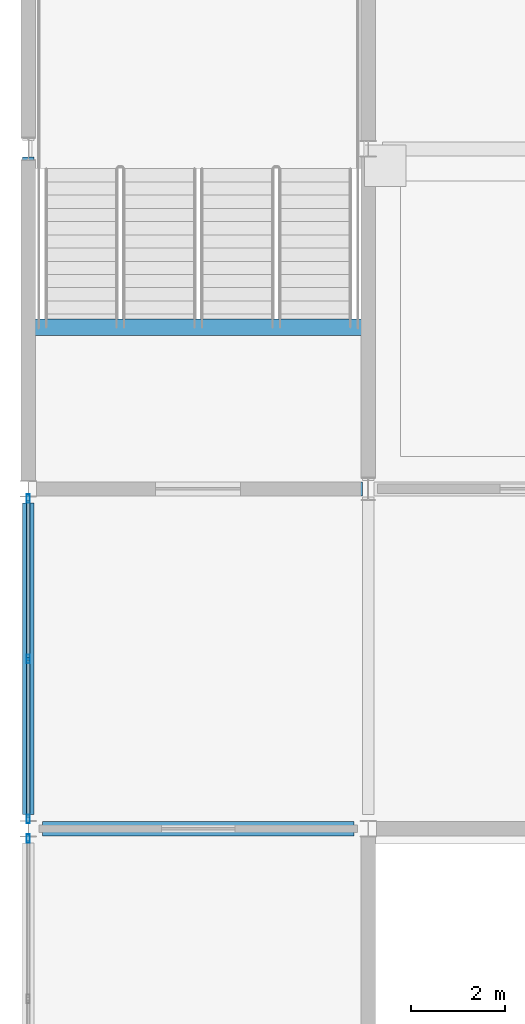
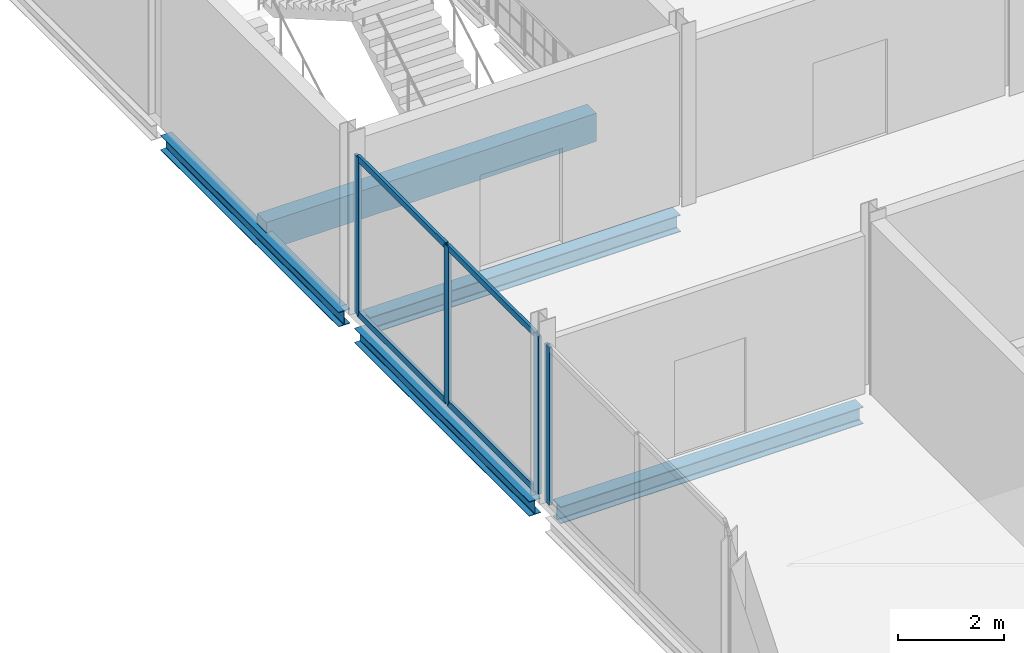
# One storey, part 7 of 26: 8 members, 5 beams, 2 elements without a shape of their own.
"""IFC4 building model written with IfcOpenShell, lengths in metres."""

from ifc_helpers import new_model, si_unit, direction, frame, origin, origin_2d, place, context, subcontext, project, spatial, rectangle, hollow_rectangle, i_section, extrude, material, material_profile, profile_set, type_object, element, aggregate, save


model = new_model("IFC4")

# Units and contexts
model_context = context("Model", 3, precision=1e-05, world=origin(), true_north=direction((0.0, 1.0)))
body_context = subcontext(model_context, "Body", "Model", "MODEL_VIEW")
ifc_project = project(units=[si_unit("LENGTHUNIT", "METRE"), si_unit("AREAUNIT", "SQUARE_METRE"), si_unit("VOLUMEUNIT", "CUBIC_METRE"), si_unit("PLANEANGLEUNIT", "RADIAN"), si_unit("MASSUNIT", "GRAM", prefix="KILO")], contexts=[model_context])

# Site, building, storey
site_placement = place(None, origin())
site = spatial("IfcSite", under=ifc_project, at=site_placement, CompositionType="ELEMENT")
building_placement = place(site_placement, origin())
building = spatial("IfcBuilding", under=site, at=building_placement, Name="Vesperath Aquatics Centre", CompositionType="ELEMENT")
storey_placement = place(building_placement, frame((0.0, 0.0, 19.199951171875)))
storey = spatial("IfcBuildingStorey", under=building, at=storey_placement, Name="L04", CompositionType="ELEMENT", Elevation=19.199951171875)

# Beams
ifc_material_1 = material(Name="Concrete C35", Category="concrete")
ifc_material_profile_1 = material_profile(ifc_material_1, rectangle(XDim=0.35009765625, YDim=0.64990234375, at=origin_2d()), Name="RC 350x650")
ifc_profile_set_1 = profile_set([ifc_material_profile_1], Name="Concrete C35")
beam_type_1 = type_object("IfcBeamType", Name="BM-G05", PredefinedType="BEAM", material=ifc_profile_set_1)
beam_1_placement = place(storey_placement, frame((115.199951171875, 25.02001953125, -0.324951171875), z_axis=(1.0, 0.0, 0.0), x_axis=(0.0, 1.0, 0.0)))
element("IfcBeam", 1, at=beam_1_placement, inside=storey, type_object=beam_type_1, Name="Stair ST7 Landing Trimmer Beam B05 L04", PredefinedType="BEAM", context=body_context, shape_type="SweptSolid", body=[
    extrude(rectangle(XDim=0.35009765625, YDim=0.64990234375, at=origin_2d()), origin(), (0.0, 0.0, 1.0), 7.199951171875),
])
ifc_material_2 = material(Name="Steel Q355C", Category="steel")
ifc_material_profile_2 = material_profile(ifc_material_2, i_section(OverallWidth=0.300048828125, OverallDepth=0.389892578125, WebThickness=0.010009765625, FlangeThickness=0.01611328125, FilletRadius=0.02197265625, at=origin_2d()), Name="HM 390x300x10x16")
ifc_profile_set_2 = profile_set([ifc_material_profile_2], Name="Steel Q355C")
beam_type_2 = type_object("IfcBeamType", Name="BM-G11", PredefinedType="BEAM", material=ifc_profile_set_2)
beam_2_placement = place(storey_placement, frame((115.5, 14.39990234375, -0.43505859375), z_axis=(1.0, 0.0, 0.0), x_axis=(0.0, 1.0, 0.0)))
element("IfcBeam", 2, at=beam_2_placement, inside=storey, type_object=beam_type_2, Name="Floor Girder B11 L04 C 17-18", PredefinedType="BEAM", context=body_context, shape_type="SweptSolid", body=[
    extrude(i_section(OverallWidth=0.300048828125, OverallDepth=0.389892578125, WebThickness=0.010009765625, FlangeThickness=0.01611328125, FilletRadius=0.02197265625, at=origin_2d()), origin(), (0.0, 0.0, 1.0), 6.60009765625),
])
beam_3_placement = place(storey_placement, frame((115.5, 21.60009765625, -0.43505859375), z_axis=(1.0, 0.0, 0.0), x_axis=(0.0, 1.0, 0.0)))
element("IfcBeam", 3, at=beam_3_placement, inside=storey, type_object=beam_type_2, Name="Floor Girder B11 L04 D 17-18", PredefinedType="BEAM", context=body_context, shape_type="SweptSolid", body=[
    extrude(i_section(OverallWidth=0.300048828125, OverallDepth=0.389892578125, WebThickness=0.010009765625, FlangeThickness=0.01611328125, FilletRadius=0.02197265625, at=origin_2d()), origin(), (0.0, 0.0, 1.0), 6.77490234375),
])
ifc_material_profile_3 = material_profile(ifc_material_2, i_section(OverallWidth=0.25, OverallDepth=0.340087890625, WebThickness=0.009033203125, FlangeThickness=0.013916015625, FilletRadius=0.02001953125, at=origin_2d()), Name="HM 340x250x9x14")
ifc_profile_set_3 = profile_set([ifc_material_profile_3], Name="Steel Q355C")
beam_type_3 = type_object("IfcBeamType", Name="BM-G12", PredefinedType="BEAM", material=ifc_profile_set_3)
beam_4_placement = place(storey_placement, frame((115.199951171875, 14.699951171875, -0.409912109375), z_axis=(0.0, 1.0, 0.0), x_axis=(-1.0, 0.0, 0.0)))
element("IfcBeam", 4, at=beam_4_placement, inside=storey, type_object=beam_type_3, Name="Floor Girder B12 L04 17 C-D", PredefinedType="BEAM", context=body_context, shape_type="SweptSolid", body=[
    extrude(i_section(OverallWidth=0.25, OverallDepth=0.340087890625, WebThickness=0.009033203125, FlangeThickness=0.013916015625, FilletRadius=0.02001953125, at=origin_2d()), origin(), (0.0, 0.0, 1.0), 6.60009765625),
])
beam_5_placement = place(storey_placement, frame((115.199951171875, 21.89990234375, -0.409912109375), z_axis=(0.0, 1.0, 0.0), x_axis=(-1.0, 0.0, 0.0)))
element("IfcBeam", 5, at=beam_5_placement, inside=storey, type_object=beam_type_3, Name="Floor Girder B12 L04 17 D-E", PredefinedType="BEAM", context=body_context, shape_type="SweptSolid", body=[
    extrude(i_section(OverallWidth=0.25, OverallDepth=0.340087890625, WebThickness=0.009033203125, FlangeThickness=0.013916015625, FilletRadius=0.02001953125, at=origin_2d()), origin(), (0.0, 0.0, 1.0), 6.72509765625),
])

# Curtain wall, member
ifc_material_3 = material(Name="Thermally broken anodised bronze aluminium curtain wall", Category="aluminium")
curtain_wall_type = type_object("IfcCurtainWallType", Name="CW-07", PredefinedType="NOTDEFINED", material=ifc_material_3)
curtain_wall_1_placement = place(storey_placement, origin())
curtain_wall_1 = element("IfcCurtainWall", 6, at=curtain_wall_1_placement, inside=storey, type_object=curtain_wall_type, Name="Facade Curtain Wall CW07 L04_W_16_01", PredefinedType="NOTDEFINED")
ifc_material_4 = material(Name="Thermally broken anodised aluminium", Category="aluminium")
ifc_material_profile_4 = material_profile(ifc_material_4, hollow_rectangle(XDim=0.06494140625, YDim=0.179931640625, WallThickness=0.00390625, at=origin_2d()), Name="CWM 65x180x4")
ifc_profile_set_4 = profile_set([ifc_material_profile_4], Name="Thermally broken anodised aluminium")
member_type_1 = type_object("IfcMemberType", Name="MB-CWM3", PredefinedType="MULLION", material=ifc_profile_set_4)
member_1_placement = place(storey_placement, frame((115.199951171875, 14.1923828125, 0.0), z_axis=(0.0, 0.0, 1.0), x_axis=(-1.0, 0.0, 0.0)))
member_1 = element("IfcMember", 7, at=member_1_placement, type_object=member_type_1, Name="CW07 mullion 3", PredefinedType="MULLION", context=body_context, shape_type="SweptSolid", body=[
    extrude(hollow_rectangle(XDim=0.06494140625, YDim=0.179931640625, WallThickness=0.00390625, at=origin_2d()), origin(), (0.0, 0.0, 1.0), 3.64013671875),
])
aggregate(curtain_wall_1, [member_1])

# Curtain wall, members
curtain_wall_2_placement = place(storey_placement, origin())
curtain_wall_2 = element("IfcCurtainWall", 8, at=curtain_wall_2_placement, inside=storey, type_object=curtain_wall_type, Name="Facade Curtain Wall CW07 L04_W_16_02", PredefinedType="NOTDEFINED")
member_2_placement = place(storey_placement, frame((115.199951171875, 14.607421875, 0.0), z_axis=(0.0, 0.0, 1.0), x_axis=(-1.0, 0.0, 0.0)))
member_2 = element("IfcMember", 9, at=member_2_placement, type_object=member_type_1, Name="CW07 mullion 1", PredefinedType="MULLION", context=body_context, shape_type="SweptSolid", body=[
    extrude(hollow_rectangle(XDim=0.06494140625, YDim=0.179931640625, WallThickness=0.00390625, at=origin_2d()), origin(), (0.0, 0.0, 1.0), 3.64013671875),
])
member_3_placement = place(storey_placement, frame((115.199951171875, 18.0, 0.0), z_axis=(0.0, 0.0, 1.0), x_axis=(-1.0, 0.0, 0.0)))
member_3 = element("IfcMember", 10, at=member_3_placement, type_object=member_type_1, Name="CW07 mullion 2", PredefinedType="MULLION", context=body_context, shape_type="SweptSolid", body=[
    extrude(hollow_rectangle(XDim=0.06494140625, YDim=0.179931640625, WallThickness=0.00390625, at=origin_2d()), origin(), (0.0, 0.0, 1.0), 3.64013671875),
])
member_4_placement = place(storey_placement, frame((115.199951171875, 21.392578125, 0.0), z_axis=(0.0, 0.0, 1.0), x_axis=(-1.0, 0.0, 0.0)))
member_4 = element("IfcMember", 11, at=member_4_placement, type_object=member_type_1, Name="CW07 mullion 3", PredefinedType="MULLION", context=body_context, shape_type="SweptSolid", body=[
    extrude(hollow_rectangle(XDim=0.06494140625, YDim=0.179931640625, WallThickness=0.00390625, at=origin_2d()), origin(), (0.0, 0.0, 1.0), 3.64013671875),
])
ifc_material_profile_5 = material_profile(ifc_material_4, hollow_rectangle(XDim=0.06494140625, YDim=0.139892578125, WallThickness=0.00390625, at=origin_2d()), Name="CWT 65x140x4")
ifc_profile_set_5 = profile_set([ifc_material_profile_5], Name="Thermally broken anodised aluminium")
member_type_2 = type_object("IfcMemberType", Name="MB-CWT3", PredefinedType="USERDEFINED", material=ifc_profile_set_5)
member_5_placement = place(storey_placement, frame((115.199951171875, 14.639892578125, 0.032470703125), z_axis=(0.0, 1.0, 0.0), x_axis=(-1.0, 0.0, 0.0)))
member_5 = element("IfcMember", 12, at=member_5_placement, type_object=member_type_2, Name="CW07 transom 1.1", ObjectType="TRANSOM", PredefinedType="USERDEFINED", context=body_context, shape_type="SweptSolid", body=[
    extrude(hollow_rectangle(XDim=0.06494140625, YDim=0.139892578125, WallThickness=0.00390625, at=origin_2d()), origin(), (0.0, 0.0, 1.0), 3.32763671875),
])
member_6_placement = place(storey_placement, frame((115.199951171875, 14.639892578125, 3.607666015625), z_axis=(0.0, 1.0, 0.0), x_axis=(-1.0, 0.0, 0.0)))
member_6 = element("IfcMember", 13, at=member_6_placement, type_object=member_type_2, Name="CW07 transom 1.2", ObjectType="TRANSOM", PredefinedType="USERDEFINED", context=body_context, shape_type="SweptSolid", body=[
    extrude(hollow_rectangle(XDim=0.06494140625, YDim=0.139892578125, WallThickness=0.00390625, at=origin_2d()), origin(), (0.0, 0.0, 1.0), 3.32763671875),
])
member_7_placement = place(storey_placement, frame((115.199951171875, 18.032470703125, 0.032470703125), z_axis=(0.0, 1.0, 0.0), x_axis=(-1.0, 0.0, 0.0)))
member_7 = element("IfcMember", 14, at=member_7_placement, type_object=member_type_2, Name="CW07 transom 2.1", ObjectType="TRANSOM", PredefinedType="USERDEFINED", context=body_context, shape_type="SweptSolid", body=[
    extrude(hollow_rectangle(XDim=0.06494140625, YDim=0.139892578125, WallThickness=0.00390625, at=origin_2d()), origin(), (0.0, 0.0, 1.0), 3.32763671875),
])
member_8_placement = place(storey_placement, frame((115.199951171875, 18.032470703125, 3.607666015625), z_axis=(0.0, 1.0, 0.0), x_axis=(-1.0, 0.0, 0.0)))
member_8 = element("IfcMember", 15, at=member_8_placement, type_object=member_type_2, Name="CW07 transom 2.2", ObjectType="TRANSOM", PredefinedType="USERDEFINED", context=body_context, shape_type="SweptSolid", body=[
    extrude(hollow_rectangle(XDim=0.06494140625, YDim=0.139892578125, WallThickness=0.00390625, at=origin_2d()), origin(), (0.0, 0.0, 1.0), 3.32763671875),
])
aggregate(curtain_wall_2, [member_2, member_3, member_4, member_5, member_6, member_7, member_8])

save(model, "model.ifc")
